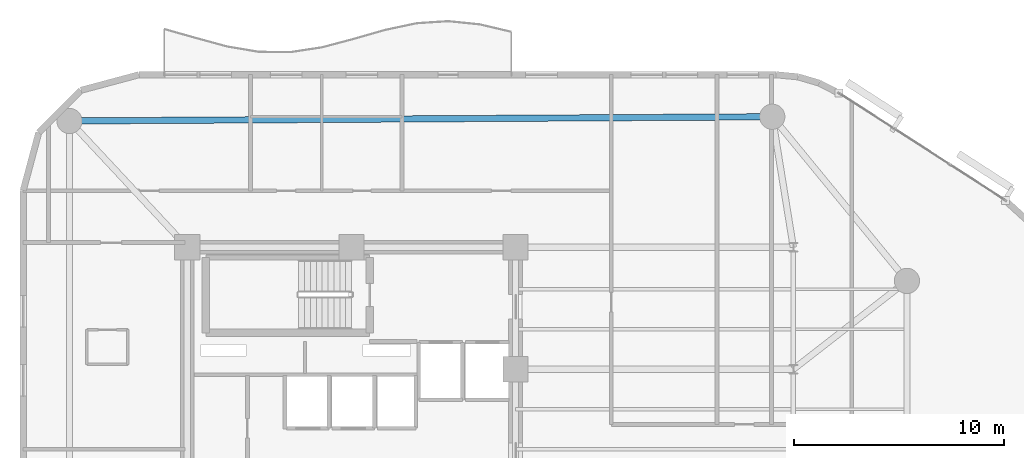
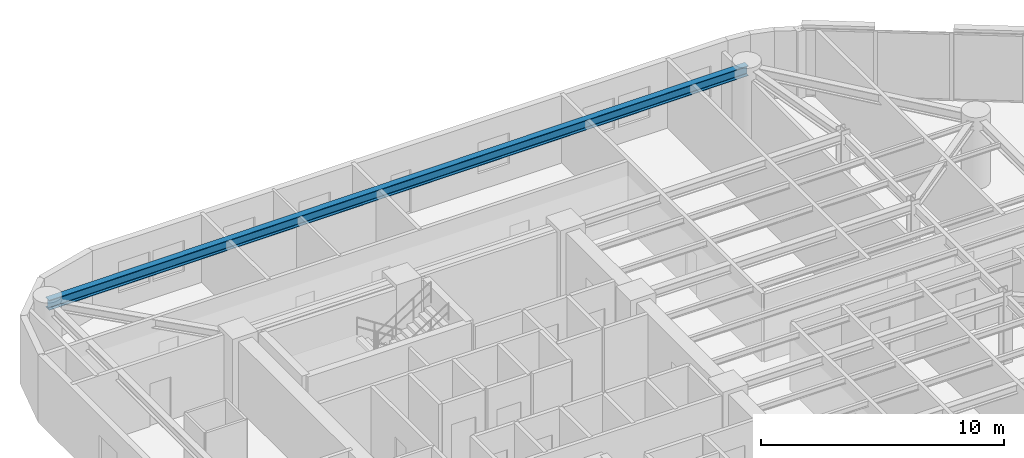
# One storey, part 5 of 13: 1 beam.
"""IFC4 building model written with IfcOpenShell, lengths in metres."""

from ifc_helpers import new_model, si_unit, direction, frame, origin, origin_2d, place, context, subcontext, project, spatial, i_section, extrude, material, material_profile, profile_set, type_object, element, save


model = new_model("IFC4")

# Units and contexts
model_context = context("Model", 3, precision=1e-05, world=origin(), true_north=direction((0.0, 1.0)))
body_context = subcontext(model_context, "Body", "Model", "MODEL_VIEW")
ifc_project = project(units=[si_unit("LENGTHUNIT", "METRE"), si_unit("AREAUNIT", "SQUARE_METRE"), si_unit("VOLUMEUNIT", "CUBIC_METRE"), si_unit("PLANEANGLEUNIT", "RADIAN"), si_unit("MASSUNIT", "GRAM", prefix="KILO")], contexts=[model_context])

# Site, building, storey
site_placement = place(None, origin())
site = spatial("IfcSite", under=ifc_project, at=site_placement, CompositionType="ELEMENT")
building_placement = place(site_placement, origin())
building = spatial("IfcBuilding", under=site, at=building_placement, Name="An Khanh Terracotta Commons", CompositionType="ELEMENT")
storey_placement = place(building_placement, frame((0.0, 0.0, 183.39990234375)))
storey = spatial("IfcBuildingStorey", under=building, at=storey_placement, Name="L48", CompositionType="ELEMENT", Elevation=183.39990234375)

# Beam
ifc_material = material(Name="Steel S355J2", Category="steel")
ifc_material_profile = material_profile(ifc_material, i_section(OverallWidth=0.300048828125, OverallDepth=0.5, WebThickness=0.014404296875, FlangeThickness=0.028076171875, FilletRadius=0.027099609375, at=origin_2d()), Name="HEB500")
ifc_profile_set = profile_set([ifc_material_profile], Name="Steel S355J2")
beam_type = type_object("IfcBeamType", Name="BM-HEB500", PredefinedType="BEAM", material=ifc_profile_set)
beam_placement = place(storey_placement, frame((49.39990234375, 39.800048828125, 3.150146484375), z_axis=(-0.999982080914, -0.005986472262, 0.0), x_axis=(0.005986472262, -0.999982080914, 0.0)))
element("IfcBeam", 1, at=beam_placement, inside=storey, type_object=beam_type, Name="L48 Perimeter Ring Spandrel 5", PredefinedType="BEAM", context=body_context, shape_type="SweptSolid", body=[
    extrude(i_section(OverallWidth=0.300048828125, OverallDepth=0.5, WebThickness=0.014404296875, FlangeThickness=0.028076171875, FilletRadius=0.027099609375, at=origin_2d()), origin(), (0.0, 0.0, 1.0), 33.400390625),
])

save(model, "model.ifc")
